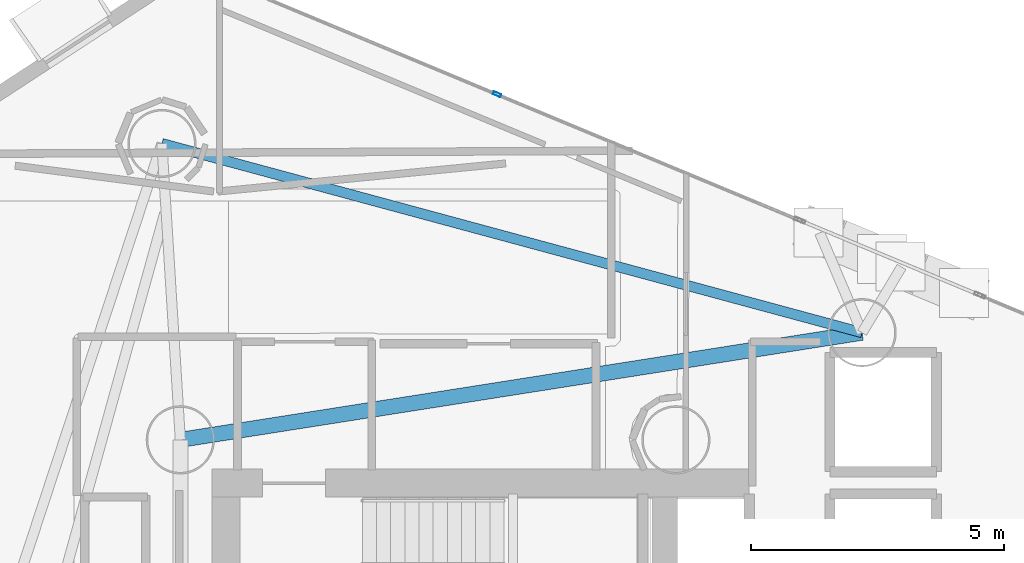
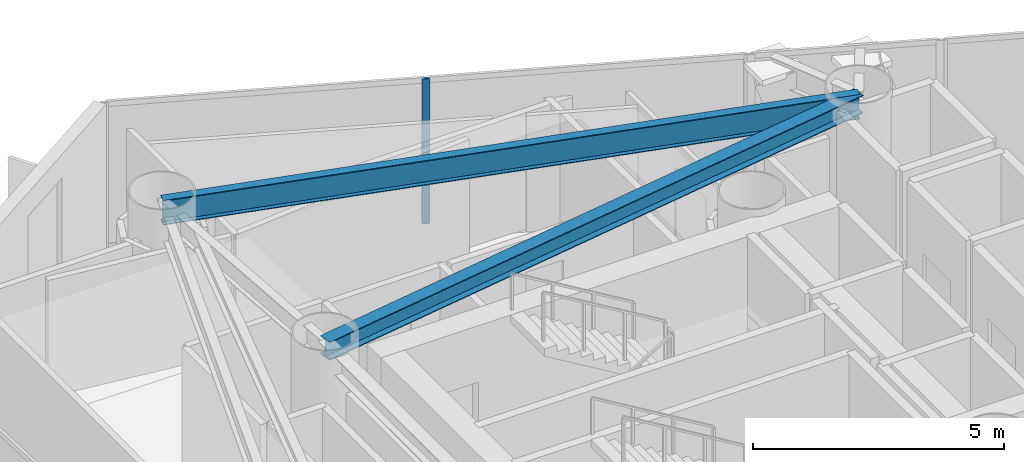
# One storey, part 12 of 22: 2 beams, 1 member, 1 element without a shape of its own.
"""IFC4 building model written with IfcOpenShell, lengths in metres."""

from ifc_helpers import new_model, si_unit, direction, frame, origin, origin_2d, place, context, subcontext, project, spatial, hollow_rectangle, i_section, extrude, material, layer, layer_set, material_profile, profile_set, type_object, element, aggregate, save


model = new_model("IFC4")

# Units and contexts
model_context = context("Model", 3, precision=1e-05, world=origin(), true_north=direction((0.0, 1.0)))
body_context = subcontext(model_context, "Body", "Model", "MODEL_VIEW")
ifc_project = project(units=[si_unit("LENGTHUNIT", "METRE"), si_unit("AREAUNIT", "SQUARE_METRE"), si_unit("VOLUMEUNIT", "CUBIC_METRE"), si_unit("PLANEANGLEUNIT", "RADIAN"), si_unit("MASSUNIT", "GRAM", prefix="KILO")], contexts=[model_context])

# Site, building, storey
site_placement = place(None, origin())
site = spatial("IfcSite", under=ifc_project, at=site_placement, CompositionType="ELEMENT")
building_placement = place(site_placement, origin())
building = spatial("IfcBuilding", under=site, at=building_placement, Name="Qianvela Tower", CompositionType="ELEMENT")
storey_placement = place(building_placement, frame((0.0, 0.0, 158.699951171875)))
storey = spatial("IfcBuildingStorey", under=building, at=storey_placement, Name="L40", CompositionType="ELEMENT", Elevation=158.699951171875)

# Beams
ifc_material_1 = material(Name="Steel Q355B", Category="steel")
ifc_material_profile_1 = material_profile(ifc_material_1, i_section(OverallWidth=0.300048828125, OverallDepth=0.43994140625, WebThickness=0.010986328125, FlangeThickness=0.01806640625, at=origin_2d()), Name="HM440x300x11x18")
ifc_profile_set_1 = profile_set([ifc_material_profile_1], Name="Steel Q355B")
beam_type_1 = type_object("IfcBeamType", Name="BM-HM440-COLL", PredefinedType="BEAM", material=ifc_profile_set_1)
beam_1_placement = place(storey_placement, frame((28.60009765625, 33.550048828125, 3.298095703125), z_axis=(0.98787540104, 0.155248806823, 0.0), x_axis=(-0.155248806823, 0.98787540104, 0.0)))
element("IfcBeam", 1, at=beam_1_placement, inside=storey, type_object=beam_type_1, Name="L40 Perimeter Ring Tie Girder 1B", PredefinedType="BEAM", context=body_context, shape_type="SweptSolid", body=[
    extrude(i_section(OverallWidth=0.300048828125, OverallDepth=0.43994140625, WebThickness=0.010986328125, FlangeThickness=0.01806640625, at=origin_2d()), origin(), (0.0, 0.0, 1.0), 13.6484375),
])
ifc_material_2 = material(Name="Steel Q355B", Category="steel")
ifc_material_profile_2 = material_profile(ifc_material_2, i_section(OverallWidth=0.199951171875, OverallDepth=0.60009765625, WebThickness=0.010986328125, FlangeThickness=0.01708984375, at=origin_2d()), Name="HN600x200x11x17")
ifc_profile_set_2 = profile_set([ifc_material_profile_2], Name="Steel Q355B")
beam_type_2 = type_object("IfcBeamType", Name="BM-HN600-GIRD", PredefinedType="BEAM", material=ifc_profile_set_2)
beam_2_placement = place(storey_placement, frame((42.0830078125, 35.6689453125, 3.218017578125), z_axis=(-0.965376252239, 0.260861441407, 0.0), x_axis=(-0.260861441407, -0.965376252239, 0.0)))
element("IfcBeam", 2, at=beam_2_placement, inside=storey, type_object=beam_type_2, Name="L40 Perimeter Ring Spandrel Girder 2", PredefinedType="BEAM", context=body_context, shape_type="SweptSolid", body=[
    extrude(i_section(OverallWidth=0.199951171875, OverallDepth=0.60009765625, WebThickness=0.010986328125, FlangeThickness=0.01708984375, at=origin_2d()), origin(), (0.0, 0.0, 1.0), 14.344482421875),
])

# Curtain wall, member
ifc_material_3 = material(Name="Anodised Architectural Aluminium and Low-E Glass", Category="aluminium")
ifc_layer = layer(ifc_material_3, 0.169921875)
ifc_layer_set = layer_set([ifc_layer], Name="Anodised Architectural Aluminium and Low-E Glass")
curtain_wall_type = type_object("IfcCurtainWallType", Name="CW-COLIV-Z34", PredefinedType="USERDEFINED", material=ifc_layer_set)
curtain_wall_placement = place(storey_placement, origin())
curtain_wall = element("IfcCurtainWall", 3, at=curtain_wall_placement, inside=storey, type_object=curtain_wall_type, Name="L40 CW-COLIV-Z34 Curtain Wall 02C", ObjectType="CURTAIN_WALL_SYSTEM", PredefinedType="USERDEFINED")
ifc_material_4 = material(Name="Anodised Architectural Aluminium 6063-T6", Category="aluminium")
ifc_material_profile_3 = material_profile(ifc_material_4, hollow_rectangle(XDim=0.06494140625, YDim=0.159912109375, WallThickness=0.0048828125, at=origin_2d()), Name="ALU-MULL-65x160")
ifc_profile_set_3 = profile_set([ifc_material_profile_3], Name="Anodised Architectural Aluminium 6063-T6")
member_type = type_object("IfcMemberType", Name="CW-COLIV-Z34-MULL", PredefinedType="MULLION", material=ifc_profile_set_3)
member_placement = place(storey_placement, frame((34.863037109375, 40.3837890625, 0.0), z_axis=(0.0, 0.0, 1.0), x_axis=(-0.384182286726, -0.923257261312, 0.0)))
member = element("IfcMember", 4, at=member_placement, type_object=member_type, Name="CW-4 mullion 2", PredefinedType="MULLION", context=body_context, shape_type="SweptSolid", body=[
    extrude(hollow_rectangle(XDim=0.06494140625, YDim=0.159912109375, WallThickness=0.0048828125, at=origin_2d()), origin(), (0.0, 0.0, 1.0), 3.52001953125),
])
aggregate(curtain_wall, [member])

save(model, "model.ifc")
